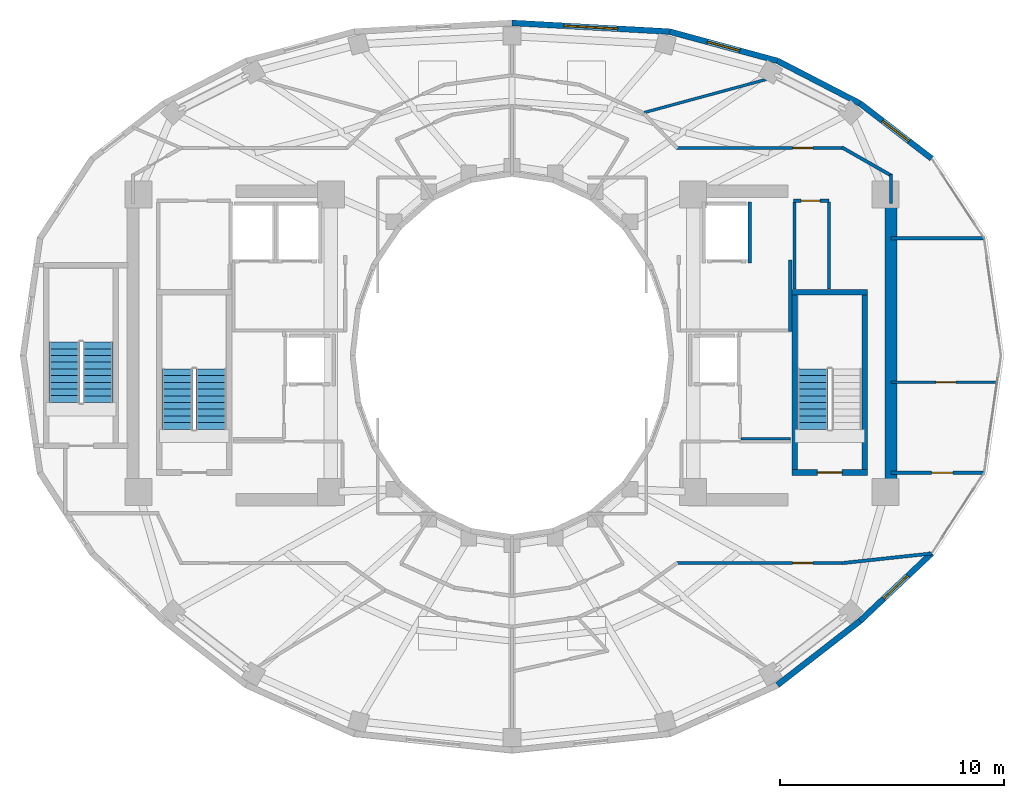
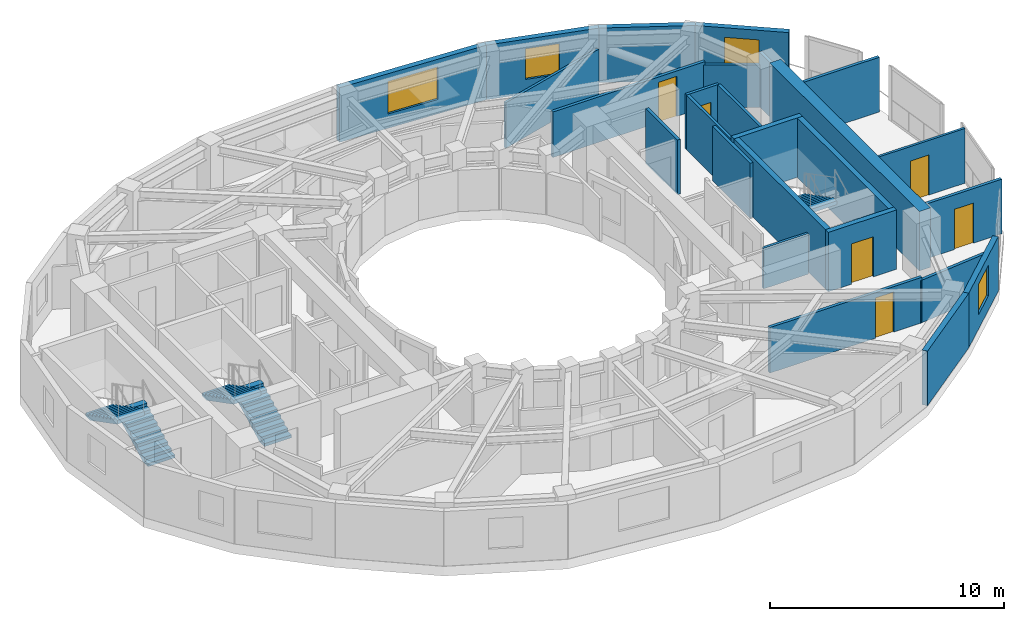
# One storey, part 9 of 12: 26 walls, 6 doors, 5 stair flights, 4 windows, 10 openings, 3 elements without a shape of their own.
"""IFC4 building model written with IfcOpenShell, lengths in metres."""

from ifc_helpers import new_model, si_unit, direction, frame, frame_2d, origin, place, context, subcontext, project, spatial, polyline, rectangle, outline, extrude, material, layer, layer_set, type_object, element, fill, aggregate, save


model = new_model("IFC4")

# Units and contexts
model_context = context("Model", 3, precision=1e-05, world=origin(), true_north=direction((0.0, 1.0)))
body_context = subcontext(model_context, "Body", "Model", "MODEL_VIEW")
ifc_project = project(units=[si_unit("LENGTHUNIT", "METRE"), si_unit("AREAUNIT", "SQUARE_METRE"), si_unit("VOLUMEUNIT", "CUBIC_METRE"), si_unit("PLANEANGLEUNIT", "RADIAN"), si_unit("MASSUNIT", "GRAM", prefix="KILO")], contexts=[model_context])

# Site, building, storey
site_placement = place(None, origin())
site = spatial("IfcSite", under=ifc_project, at=site_placement, CompositionType="ELEMENT")
building_placement = place(site_placement, origin())
building = spatial("IfcBuilding", under=site, at=building_placement, Name="Solvane Sanctuary Tower", CompositionType="ELEMENT")
storey_placement = place(building_placement, frame((0.0, 0.0, 210.89990234375)))
storey = spatial("IfcBuildingStorey", under=building, at=storey_placement, Name="L64", CompositionType="ELEMENT", Elevation=210.89990234375)

# Walls
ifc_material_1 = material(Name="Concrete C50/60", Category="concrete")
ifc_layer_1 = layer(ifc_material_1, 0.550048828125, Name="Concrete C50/60")
ifc_layer_set_1 = layer_set([ifc_layer_1], Name="Concrete C50/60")
wall_type_1 = type_object("IfcWallType", Name="Wall W-CORE-550", PredefinedType="SHEAR", material=ifc_layer_set_1)
wall_1_placement = place(storey_placement, frame((48.949951171875, 17.050048828125, 0.0), z_axis=(0.0, 0.0, 1.0), x_axis=(0.0, 1.0, 0.0)))
element("IfcWall", 1, at=wall_1_placement, inside=storey, type_object=wall_type_1, Name="L64 Core Shear Wall EC-E", PredefinedType="SHEAR", context=body_context, shape_type="SweptSolid", body=[
    extrude(rectangle(XDim=12.800048828125, YDim=0.550048828125, at=frame_2d((6.39990234375, 0.0))), origin(), (0.0, 0.0, 1.0), 3.10009765625),
])
ifc_material_2 = material(Name="Acoustic Gypsum Partition Board")
ifc_layer_2 = layer(ifc_material_2, 0.14990234375, Name="Acoustic Gypsum Partition Board")
ifc_layer_set_2 = layer_set([ifc_layer_2], Name="Acoustic Gypsum Partition Board")
wall_type_2 = type_object("IfcWallType", Name="Wall W-CORR-150", PredefinedType="PARTITIONING", material=ifc_layer_set_2)
wall_2_placement = place(storey_placement, frame((44.449951171875, 24.080078125, 0.0), z_axis=(0.0, 0.0, 1.0), x_axis=(0.0, 1.0, 0.0)))
element("IfcWall", 2, at=wall_2_placement, inside=storey, type_object=wall_type_2, Name="L64 East Firefighting Lobby East Wall", PredefinedType="PARTITIONING", context=body_context, shape_type="SweptSolid", body=[
    extrude(rectangle(XDim=3.199951171875, YDim=0.14990234375, at=frame_2d((1.60009765625, 0.0))), origin(), (0.0, 0.0, 1.0), 2.85498046875),
])

# Wall, opening, door
wall_3_placement = place(storey_placement, frame((48.949951171875, 17.754638671875, 0.0), z_axis=(0.0, 0.0, 1.0), x_axis=(1.0, 0.0, 0.0)))
wall_3 = element("IfcWall", 3, at=wall_3_placement, inside=storey, type_object=wall_type_2, Name="L64 East Shoulder South Wall", PredefinedType="PARTITIONING", context=body_context, shape_type="SweptSolid", body=[
    extrude(rectangle(XDim=4.174560546875, YDim=0.14990234375, at=frame_2d((2.08740234375, 0.0))), origin(), (0.0, 0.0, 1.0), 2.85498046875),
])
opening_1_placement = place(wall_3_placement, frame((1.817138671875, 0.0, 0.0)))
opening_1 = element("IfcOpeningElement", 4, at=opening_1_placement, cuts=wall_3, Name="Opening D-L64-16", PredefinedType="OPENING", context=body_context, shape_type="SweptSolid", body=[
    extrude(rectangle(XDim=0.949951171875, YDim=2.10009765625, at=frame_2d((0.47509765625, 1.050048828125))), frame((0.0, 0.0849609375, 0.0), z_axis=(0.0, -1.0, 0.0), x_axis=(1.0, 0.0, 0.0)), (0.0, 0.0, 1.0), 0.169921875),
])
ifc_material_3 = material(Name="Engineered Tropical Hardwood", Category="wood")
door_type_1 = type_object("IfcDoorType", Name="Door D-ROOM-950", OperationType="NOTDEFINED", PredefinedType="DOOR", material=ifc_material_3)
door_1_placement = place(opening_1_placement, origin())
door_1 = element("IfcDoor", 5, at=door_1_placement, inside=storey, type_object=door_type_1, Name="L64 East Shoulder South Door", OperationType="SINGLE_SWING_RIGHT", OverallHeight=2.10009765625, OverallWidth=0.949951171875, PredefinedType="DOOR", context=body_context, shape_type="SweptSolid", body=[
    extrude(rectangle(XDim=0.949951171875, YDim=2.10009765625, at=frame_2d((0.47509765625, 1.050048828125))), frame((0.0, 0.02490234375, 0.0), z_axis=(0.0, -1.0, 0.0), x_axis=(1.0, 0.0, 0.0)), (0.0, 0.0, 1.0), 0.050048828125),
])
fill(opening_1, door_1)

# Walls
wall_4_placement = place(storey_placement, frame((48.949951171875, 28.245361328125, 0.0), z_axis=(0.0, 0.0, 1.0), x_axis=(1.0, 0.0, 0.0)))
element("IfcWall", 6, at=wall_4_placement, inside=storey, type_object=wall_type_2, Name="L64 East Shoulder North Wall", PredefinedType="PARTITIONING", context=body_context, shape_type="SweptSolid", body=[
    extrude(rectangle(XDim=4.174560546875, YDim=0.14990234375, at=frame_2d((2.08740234375, 0.0))), origin(), (0.0, 0.0, 1.0), 2.85498046875),
])
wall_5_placement = place(storey_placement, frame((48.949951171875, 29.800048828125, 0.0), z_axis=(0.0, 0.0, 1.0), x_axis=(0.0, 1.0, 0.0)))
element("IfcWall", 7, at=wall_5_placement, inside=storey, type_object=wall_type_2, Name="L64 NE Corner Closer 1", PredefinedType="PARTITIONING", context=body_context, shape_type="SweptSolid", body=[
    extrude(rectangle(XDim=1.2900390625, YDim=0.14990234375, at=frame_2d((0.64501953125, 0.0))), origin(), (0.0, 0.0, 1.0), 2.85498046875),
])

# Wall, opening, door
wall_6_placement = place(storey_placement, frame((39.330078125, 32.280029296875, 0.0), z_axis=(0.0, 0.0, 1.0), x_axis=(1.0, 0.0, 0.0)))
wall_6 = element("IfcWall", 8, at=wall_6_placement, inside=storey, type_object=wall_type_2, Name="L64 NE Corner Corridor Wall", PredefinedType="PARTITIONING", context=body_context, shape_type="SweptSolid", body=[
    extrude(rectangle(XDim=7.52001953125, YDim=0.14990234375, at=frame_2d((3.760009765625, 0.0))), origin(), (0.0, 0.0, 1.0), 2.3759765625),
])
opening_2_placement = place(wall_6_placement, frame((5.219970703125, 0.0, 0.0)))
opening_2 = element("IfcOpeningElement", 9, at=opening_2_placement, cuts=wall_6, Name="Opening D-L64-18", PredefinedType="OPENING", context=body_context, shape_type="SweptSolid", body=[
    extrude(rectangle(XDim=0.89990234375, YDim=2.10009765625, at=frame_2d((0.449951171875, 1.050048828125))), frame((0.0, 0.0849609375, 0.0), z_axis=(0.0, -1.0, 0.0), x_axis=(1.0, 0.0, 0.0)), (0.0, 0.0, 1.0), 0.169921875),
])
door_type_2 = type_object("IfcDoorType", Name="Door D-WET-900", OperationType="NOTDEFINED", PredefinedType="DOOR", material=ifc_material_3)
door_2_placement = place(opening_2_placement, origin())
door_2 = element("IfcDoor", 10, at=door_2_placement, inside=storey, type_object=door_type_2, Name="L64 NE Corner Salon Door", OperationType="SINGLE_SWING_RIGHT", OverallHeight=2.10009765625, OverallWidth=0.89990234375, PredefinedType="DOOR", context=body_context, shape_type="SweptSolid", body=[
    extrude(rectangle(XDim=0.89990234375, YDim=2.10009765625, at=frame_2d((0.449951171875, 1.050048828125))), frame((0.0, 0.02490234375, 0.0), z_axis=(0.0, -1.0, 0.0), x_axis=(1.0, 0.0, 0.0)), (0.0, 0.0, 1.0), 0.050048828125),
])
fill(opening_2, door_2)

# Wall
wall_7_placement = place(storey_placement, frame((46.756591796875, 32.3046875, 0.0), z_axis=(0.0, 0.0, 1.0), x_axis=(0.867991349648, -0.496579315857, 0.0)))
element("IfcWall", 11, at=wall_7_placement, inside=storey, type_object=wall_type_2, Name="L64 NE Corner Wing Wall", PredefinedType="PARTITIONING", context=body_context, shape_type="SweptSolid", body=[
    extrude(rectangle(XDim=2.56689453125, YDim=0.14990234375, at=frame_2d((1.283447265625, 0.0))), origin(), (0.0, 0.0, 1.0), 2.22021484375),
])

# Wall, opening, door
wall_8_placement = place(storey_placement, frame((39.330078125, 13.719970703125, 0.0), z_axis=(0.0, 0.0, 1.0), x_axis=(1.0, 0.0, 0.0)))
wall_8 = element("IfcWall", 12, at=wall_8_placement, inside=storey, type_object=wall_type_2, Name="L64 SE Corner Corridor Wall", PredefinedType="PARTITIONING", context=body_context, shape_type="SweptSolid", body=[
    extrude(rectangle(XDim=7.52001953125, YDim=0.14990234375, at=frame_2d((3.760009765625, 0.0))), origin(), (0.0, 0.0, 1.0), 2.3759765625),
])
opening_3_placement = place(wall_8_placement, frame((5.219970703125, 0.0, 0.0)))
opening_3 = element("IfcOpeningElement", 13, at=opening_3_placement, cuts=wall_8, Name="Opening D-L64-22", PredefinedType="OPENING", context=body_context, shape_type="SweptSolid", body=[
    extrude(rectangle(XDim=0.89990234375, YDim=2.10009765625, at=frame_2d((0.449951171875, 1.050048828125))), frame((0.0, 0.0849609375, 0.0), z_axis=(0.0, -1.0, 0.0), x_axis=(1.0, 0.0, 0.0)), (0.0, 0.0, 1.0), 0.169921875),
])
door_3_placement = place(opening_3_placement, origin())
door_3 = element("IfcDoor", 14, at=door_3_placement, inside=storey, type_object=door_type_2, Name="L64 SE Corner Salon Door", OperationType="SINGLE_SWING_RIGHT", OverallHeight=2.10009765625, OverallWidth=0.89990234375, PredefinedType="DOOR", context=body_context, shape_type="SweptSolid", body=[
    extrude(rectangle(XDim=0.89990234375, YDim=2.10009765625, at=frame_2d((0.449951171875, 1.050048828125))), frame((0.0, 0.02490234375, 0.0), z_axis=(0.0, -1.0, 0.0), x_axis=(1.0, 0.0, 0.0)), (0.0, 0.0, 1.0), 0.050048828125),
])
fill(opening_3, door_3)

# Wall
wall_9_placement = place(storey_placement, frame((46.750244140625, 13.714599609375, 0.0), z_axis=(0.0, 0.0, 1.0), x_axis=(0.994275802046, 0.106843949134, 0.0)))
element("IfcWall", 15, at=wall_9_placement, inside=storey, type_object=wall_type_2, Name="L64 SE Corner Wing Wall", PredefinedType="PARTITIONING", context=body_context, shape_type="SweptSolid", body=[
    extrude(rectangle(XDim=4.049072265625, YDim=0.14990234375, at=frame_2d((2.0244140625, 0.0))), origin(), (0.0, 0.0, 1.0), 2.22021484375),
])

# Wall, opening, window
ifc_material_4 = material(Name="Precast concrete C40/50", Category="concrete")
ifc_layer_3 = layer(ifc_material_4, 0.260009765625, Name="Precast concrete C40/50")
ifc_layer_set_3 = layer_set([ifc_layer_3], Name="Precast concrete C40/50")
wall_type_3 = type_object("IfcWallType", Name="Wall W-EXT-250", PredefinedType="STANDARD", material=ifc_layer_set_3)
wall_10_placement = place(storey_placement, frame((50.760986328125, 31.80908203125, 0.0), z_axis=(0.0, 0.0, 1.0), x_axis=(-0.792713817907, 0.609593965603, 0.0)))
wall_10 = element("IfcWall", 16, at=wall_10_placement, inside=storey, type_object=wall_type_3, Name="L64 Ceramic-Printed Facade Wall 02", PredefinedType="STANDARD", context=body_context, shape_type="SweptSolid", body=[
    extrude(rectangle(XDim=4.041015625, YDim=0.260009765625, at=frame_2d((2.0205078125, 0.0))), origin(), (0.0, 0.0, 1.0), 2.85009765625),
])
opening_4_placement = place(wall_10_placement, frame((1.2705078125, 0.0, 0.75)))
opening_4 = element("IfcOpeningElement", 17, at=opening_4_placement, cuts=wall_10, Name="Opening WN-OPER-1500", PredefinedType="OPENING", context=body_context, shape_type="SweptSolid", body=[
    extrude(rectangle(XDim=1.5, YDim=1.60009765625, at=frame_2d((0.75, 0.800048828125))), frame((0.0, 0.139892578125, 0.0), z_axis=(0.0, -1.0, 0.0), x_axis=(1.0, 0.0, 0.0)), (0.0, 0.0, 1.0), 0.280029296875),
])
ifc_material_5 = material(Name="Dark Ceramic-Fritted Low-E Glass", Category="glass")
window_type_1 = type_object("IfcWindowType", Name="Window WN-OPER-1500", PartitioningType="SINGLE_PANEL", PredefinedType="WINDOW", material=ifc_material_5)
window_1_placement = place(opening_4_placement, origin())
window_1 = element("IfcWindow", 18, at=window_1_placement, inside=storey, type_object=window_type_1, Name="L64 Operable Facade Window 02", OverallHeight=1.60009765625, OverallWidth=1.5, PartitioningType="SINGLE_PANEL", PredefinedType="WINDOW", context=body_context, shape_type="SweptSolid", body=[
    extrude(rectangle(XDim=1.5, YDim=1.60009765625, at=frame_2d((0.75, 0.800048828125))), frame((0.0, 0.030029296875, 0.0), z_axis=(0.0, -1.0, 0.0), x_axis=(1.0, 0.0, 0.0)), (0.0, 0.0, 1.0), 0.06005859375),
])
fill(opening_4, window_1)

# Wall
wall_11_placement = place(storey_placement, frame((47.5576171875, 34.2724609375, 0.0), z_axis=(0.0, 0.0, 1.0), x_axis=(-0.88849146803, 0.458893137057, 0.0)))
element("IfcWall", 19, at=wall_11_placement, inside=storey, type_object=wall_type_3, Name="L64 Ceramic-Printed Facade Wall 03", PredefinedType="STANDARD", context=body_context, shape_type="SweptSolid", body=[
    extrude(rectangle(XDim=4.150390625, YDim=0.260009765625, at=frame_2d((2.0751953125, 0.0))), origin(), (0.0, 0.0, 1.0), 2.85009765625),
])

# Wall, opening, window
wall_12_placement = place(storey_placement, frame((43.8701171875, 36.177001953125, 0.0), z_axis=(0.0, 0.0, 1.0), x_axis=(-0.965213026382, 0.261464746576, 0.0)))
wall_12 = element("IfcWall", 20, at=wall_12_placement, inside=storey, type_object=wall_type_3, Name="L64 Ceramic-Printed Facade Wall 04", PredefinedType="STANDARD", context=body_context, shape_type="SweptSolid", body=[
    extrude(rectangle(XDim=5.001220703125, YDim=0.260009765625, at=frame_2d((2.50048828125, 0.0))), origin(), (0.0, 0.0, 1.0), 2.85009765625),
])
opening_5_placement = place(wall_12_placement, frame((1.75048828125, 0.0, 0.75)))
opening_5 = element("IfcOpeningElement", 21, at=opening_5_placement, cuts=wall_12, Name="Opening WN-OPER-1500", PredefinedType="OPENING", context=body_context, shape_type="SweptSolid", body=[
    extrude(rectangle(XDim=1.5, YDim=1.60009765625, at=frame_2d((0.75, 0.800048828125))), frame((0.0, 0.139892578125, 0.0), z_axis=(0.0, -1.0, 0.0), x_axis=(1.0, 0.0, 0.0)), (0.0, 0.0, 1.0), 0.280029296875),
])
window_2_placement = place(opening_5_placement, origin())
window_2 = element("IfcWindow", 22, at=window_2_placement, inside=storey, type_object=window_type_1, Name="L64 Operable Facade Window 04", OverallHeight=1.60009765625, OverallWidth=1.5, PartitioningType="SINGLE_PANEL", PredefinedType="WINDOW", context=body_context, shape_type="SweptSolid", body=[
    extrude(rectangle(XDim=1.5, YDim=1.60009765625, at=frame_2d((0.75, 0.800048828125))), frame((0.0, 0.030029296875, 0.0), z_axis=(0.0, -1.0, 0.0), x_axis=(1.0, 0.0, 0.0)), (0.0, 0.0, 1.0), 0.06005859375),
])
fill(opening_5, window_2)

wall_13_placement = place(storey_placement, frame((39.04296875, 37.484619140625, 0.0), z_axis=(0.0, 0.0, 1.0), x_axis=(-0.998490239527, 0.054929423535, 0.0)))
wall_13 = element("IfcWall", 23, at=wall_13_placement, inside=storey, type_object=wall_type_3, Name="L64 Ceramic-Printed Facade Wall 05", PredefinedType="STANDARD", context=body_context, shape_type="SweptSolid", body=[
    extrude(rectangle(XDim=7.0537109375, YDim=0.260009765625, at=frame_2d((3.52685546875, 0.0))), origin(), (0.0, 0.0, 1.0), 2.85009765625),
])
opening_6_placement = place(wall_13_placement, frame((2.326904296875, 0.0, 0.75)))
opening_6 = element("IfcOpeningElement", 24, at=opening_6_placement, cuts=wall_13, Name="Opening WN-RIB-2400", PredefinedType="OPENING", context=body_context, shape_type="SweptSolid", body=[
    extrude(rectangle(XDim=2.39990234375, YDim=1.699951171875, at=frame_2d((1.199951171875, 0.85009765625))), frame((0.0, 0.139892578125, 0.0), z_axis=(0.0, -1.0, 0.0), x_axis=(1.0, 0.0, 0.0)), (0.0, 0.0, 1.0), 0.280029296875),
])
window_type_2 = type_object("IfcWindowType", Name="Window WN-RIB-2400", PartitioningType="SINGLE_PANEL", PredefinedType="WINDOW", material=ifc_material_5)
window_3_placement = place(opening_6_placement, origin())
window_3 = element("IfcWindow", 25, at=window_3_placement, inside=storey, type_object=window_type_2, Name="L64 Operable Facade Window 05", OverallHeight=1.699951171875, OverallWidth=2.39990234375, PartitioningType="SINGLE_PANEL", PredefinedType="WINDOW", context=body_context, shape_type="SweptSolid", body=[
    extrude(rectangle(XDim=2.39990234375, YDim=1.699951171875, at=frame_2d((1.199951171875, 0.85009765625))), frame((0.0, 0.030029296875, 0.0), z_axis=(0.0, -1.0, 0.0), x_axis=(1.0, 0.0, 0.0)), (0.0, 0.0, 1.0), 0.06005859375),
])
fill(opening_6, window_3)

# Wall
wall_14_placement = place(storey_placement, frame((43.8701171875, 8.267333984375, 0.0), z_axis=(0.0, 0.0, 1.0), x_axis=(0.790126214723, 0.612944177563, 0.0)))
element("IfcWall", 26, at=wall_14_placement, inside=storey, type_object=wall_type_3, Name="L64 Ceramic-Printed Facade Wall 20", PredefinedType="STANDARD", context=body_context, shape_type="SweptSolid", body=[
    extrude(rectangle(XDim=4.6669921875, YDim=0.260009765625, at=frame_2d((2.33349609375, 0.0))), origin(), (0.0, 0.0, 1.0), 2.85009765625),
])

# Wall, opening, window
wall_15_placement = place(storey_placement, frame((47.5576171875, 11.1279296875, 0.0), z_axis=(0.0, 0.0, 1.0), x_axis=(0.72731899451, 0.686299555752, 0.0)))
wall_15 = element("IfcWall", 27, at=wall_15_placement, inside=storey, type_object=wall_type_3, Name="L64 Ceramic-Printed Facade Wall 21", PredefinedType="STANDARD", context=body_context, shape_type="SweptSolid", body=[
    extrude(rectangle(XDim=4.404296875, YDim=0.260009765625, at=frame_2d((2.2021484375, 0.0))), origin(), (0.0, 0.0, 1.0), 2.85009765625),
])
opening_7_placement = place(wall_15_placement, frame((1.4521484375, 0.0, 0.75)))
opening_7 = element("IfcOpeningElement", 28, at=opening_7_placement, cuts=wall_15, Name="Opening WN-OPER-1500", PredefinedType="OPENING", context=body_context, shape_type="SweptSolid", body=[
    extrude(rectangle(XDim=1.5, YDim=1.60009765625, at=frame_2d((0.75, 0.800048828125))), frame((0.0, 0.139892578125, 0.0), z_axis=(0.0, -1.0, 0.0), x_axis=(1.0, 0.0, 0.0)), (0.0, 0.0, 1.0), 0.280029296875),
])
window_4_placement = place(opening_7_placement, origin())
window_4 = element("IfcWindow", 29, at=window_4_placement, inside=storey, type_object=window_type_1, Name="L64 Operable Facade Window 21", OverallHeight=1.60009765625, OverallWidth=1.5, PartitioningType="SINGLE_PANEL", PredefinedType="WINDOW", context=body_context, shape_type="SweptSolid", body=[
    extrude(rectangle(XDim=1.5, YDim=1.60009765625, at=frame_2d((0.75, 0.800048828125))), frame((0.0, 0.030029296875, 0.0), z_axis=(0.0, -1.0, 0.0), x_axis=(1.0, 0.0, 0.0)), (0.0, 0.0, 1.0), 0.06005859375),
])
fill(opening_7, window_4)

# Wall, opening, door
ifc_layer_4 = layer(ifc_material_2, 0.1201171875, Name="Acoustic Gypsum Partition Board")
ifc_layer_set_4 = layer_set([ifc_layer_4], Name="Acoustic Gypsum Partition Board")
wall_type_4 = type_object("IfcWallType", Name="Wall W-MOV-100", PredefinedType="MOVABLE", material=ifc_layer_set_4)
wall_16_placement = place(storey_placement, frame((48.949951171875, 21.800048828125, 0.0), z_axis=(0.0, 0.0, 1.0), x_axis=(1.0, 0.0, 0.0)))
wall_16 = element("IfcWall", 30, at=wall_16_placement, inside=storey, type_object=wall_type_4, Name="L64 East Suite Partition", PredefinedType="MOVABLE", context=body_context, shape_type="SweptSolid", body=[
    extrude(rectangle(XDim=4.697265625, YDim=0.1201171875, at=frame_2d((2.3486328125, 0.0))), origin(), (0.0, 0.0, 1.0), 2.85498046875),
])
opening_8_placement = place(wall_16_placement, frame((2.0, 0.0, 0.0)))
opening_8 = element("IfcOpeningElement", 31, at=opening_8_placement, cuts=wall_16, Name="Opening D-L64-17", PredefinedType="OPENING", context=body_context, shape_type="SweptSolid", body=[
    extrude(rectangle(XDim=0.89990234375, YDim=2.10009765625, at=frame_2d((0.449951171875, 1.050048828125))), frame((0.0, 0.070068359375, 0.0), z_axis=(0.0, -1.0, 0.0), x_axis=(1.0, 0.0, 0.0)), (0.0, 0.0, 1.0), 0.14013671875),
])
door_4_placement = place(opening_8_placement, origin())
door_4 = element("IfcDoor", 32, at=door_4_placement, inside=storey, type_object=door_type_2, Name="L64 East Suite Internal Door", OperationType="SINGLE_SWING_LEFT", OverallHeight=2.10009765625, OverallWidth=0.89990234375, PredefinedType="DOOR", context=body_context, shape_type="SweptSolid", body=[
    extrude(rectangle(XDim=0.89990234375, YDim=2.10009765625, at=frame_2d((0.449951171875, 1.050048828125))), frame((0.0, 0.02490234375, 0.0), z_axis=(0.0, -1.0, 0.0), x_axis=(1.0, 0.0, 0.0)), (0.0, 0.0, 1.0), 0.050048828125),
])
fill(opening_8, door_4)

# Walls
ifc_layer_5 = layer(ifc_material_2, 0.125, Name="Acoustic Gypsum Partition Board")
ifc_layer_set_5 = layer_set([ifc_layer_5], Name="Acoustic Gypsum Partition Board")
wall_type_5 = type_object("IfcWallType", Name="Wall W-PART-125", PredefinedType="PARTITIONING", material=ifc_layer_set_5)
wall_17_placement = place(storey_placement, frame((42.239990234375, 19.280029296875, 0.0), z_axis=(0.0, 0.0, 1.0), x_axis=(1.0, 0.0, 0.0)))
element("IfcWall", 33, at=wall_17_placement, inside=storey, type_object=wall_type_5, Name="L64 Reclaimed Room Closer Wall PME-1", PredefinedType="PARTITIONING", context=body_context, shape_type="SweptSolid", body=[
    extrude(rectangle(XDim=2.2099609375, YDim=0.125, at=frame_2d((1.10498046875, 0.0))), origin(), (0.0, 0.0, 1.0), 2.1201171875),
])
wall_18_placement = place(storey_placement, frame((37.918212890625, 33.86572265625, 0.0), z_axis=(0.0, 0.0, 1.0), x_axis=(0.965109390289, 0.261847025523, 0.0)))
element("IfcWall", 34, at=wall_18_placement, inside=storey, type_object=wall_type_5, Name="L64 Radial Compartment Wall 060", PredefinedType="PARTITIONING", context=body_context, shape_type="SweptSolid", body=[
    extrude(rectangle(XDim=5.643798828125, YDim=0.125, at=frame_2d((2.82177734375, 0.0))), origin(), (0.0, 0.0, 1.0), 2.3759765625),
])
ifc_layer_6 = layer(ifc_material_1, 0.14990234375, Name="Concrete C50/60")
ifc_layer_set_6 = layer_set([ifc_layer_6], Name="Concrete C50/60")
wall_type_6 = type_object("IfcWallType", Name="Wall W-SHAFT-150", PredefinedType="SOLIDWALL", material=ifc_layer_set_6)
wall_19_placement = place(storey_placement, frame((42.6298828125, 27.139892578125, 0.0), z_axis=(0.0, 0.0, 1.0), x_axis=(0.0, 1.0, 0.0)))
element("IfcWall", 35, at=wall_19_placement, inside=storey, type_object=wall_type_6, Name="L64 FFL-2 Lift Shaft Wall S2", PredefinedType="SOLIDWALL", context=body_context, shape_type="SweptSolid", body=[
    extrude(rectangle(XDim=2.72021484375, YDim=0.14990234375, at=frame_2d((1.360107421875, 0.0))), origin(), (0.0, 0.0, 1.0), 2.85498046875),
])

# Wall, opening, door
ifc_layer_7 = layer(ifc_material_1, 0.25, Name="Concrete C50/60")
ifc_layer_set_7 = layer_set([ifc_layer_7], Name="Concrete C50/60")
wall_type_7 = type_object("IfcWallType", Name="Wall W-SHAFT-250", PredefinedType="SOLIDWALL", material=ifc_layer_set_7)
wall_20_placement = place(storey_placement, frame((44.52490234375, 17.77001953125, 0.0), z_axis=(0.0, 0.0, 1.0), x_axis=(1.0, 0.0, 0.0)))
wall_20 = element("IfcWall", 36, at=wall_20_placement, inside=storey, type_object=wall_type_7, Name="L64 ST-2 Load-Bearing Shaft Wall S", PredefinedType="SOLIDWALL", context=body_context, shape_type="SweptSolid", body=[
    extrude(rectangle(XDim=3.3701171875, YDim=0.25, at=frame_2d((1.68505859375, 0.0))), origin(), (0.0, 0.0, 1.0), 3.10009765625),
])
opening_9_placement = place(wall_20_placement, frame((1.135009765625, 0.0, 0.0)))
opening_9 = element("IfcOpeningElement", 37, at=opening_9_placement, cuts=wall_20, Name="Opening D-L64-02", PredefinedType="OPENING", context=body_context, shape_type="SweptSolid", body=[
    extrude(rectangle(XDim=1.10009765625, YDim=2.10009765625, at=frame_2d((0.550048828125, 1.050048828125))), frame((0.0, 0.135009765625, 0.0), z_axis=(0.0, -1.0, 0.0), x_axis=(1.0, 0.0, 0.0)), (0.0, 0.0, 1.0), 0.27001953125),
])
ifc_material_6 = material(Name="Architectural Stainless Steel 316", Category="steel")
door_type_3 = type_object("IfcDoorType", Name="Door D-STAIR", OperationType="NOTDEFINED", PredefinedType="DOOR", material=ifc_material_6)
door_5_placement = place(opening_9_placement, origin())
door_5 = element("IfcDoor", 38, at=door_5_placement, inside=storey, type_object=door_type_3, Name="L64 ST-2 Exit Stair Fire Door", OperationType="SINGLE_SWING_LEFT", OverallHeight=2.10009765625, OverallWidth=1.10009765625, PredefinedType="DOOR", context=body_context, shape_type="SweptSolid", body=[
    extrude(rectangle(XDim=1.10009765625, YDim=2.10009765625, at=frame_2d((0.550048828125, 1.050048828125))), frame((0.0, 0.02490234375, 0.0), z_axis=(0.0, -1.0, 0.0), x_axis=(1.0, 0.0, 0.0)), (0.0, 0.0, 1.0), 0.050048828125),
])
fill(opening_9, door_5)

# Walls
wall_21_placement = place(storey_placement, frame((44.52490234375, 25.830078125, 0.0), z_axis=(0.0, 0.0, 1.0), x_axis=(1.0, 0.0, 0.0)))
element("IfcWall", 39, at=wall_21_placement, inside=storey, type_object=wall_type_7, Name="L64 ST-2 Load-Bearing Shaft Wall N", PredefinedType="SOLIDWALL", context=body_context, shape_type="SweptSolid", body=[
    extrude(rectangle(XDim=3.3701171875, YDim=0.25, at=frame_2d((1.68505859375, 0.0))), origin(), (0.0, 0.0, 1.0), 3.10009765625),
])
for number, where, z_axis, x_axis, name in (
    (40, (44.64990234375, 17.89501953125, 0.0), (0.0, 0.0, 1.0), (0.0, 1.0, 0.0), "L64 ST-2 Load-Bearing Shaft Wall W"),
    (41, (47.77001953125, 17.89501953125, 0.0), (0.0, 0.0, 1.0), (0.0, 1.0, 0.0), "L64 ST-2 Load-Bearing Shaft Wall E"),
):
    element("IfcWall", number, at=place(storey_placement, frame(where, z_axis=z_axis, x_axis=x_axis)), inside=storey, type_object=wall_type_7, Name=name, PredefinedType="SOLIDWALL", context=body_context, shape_type="SweptSolid", body=[
        extrude(rectangle(XDim=7.81005859375, YDim=0.25, at=frame_2d((3.905029296875, 0.0))), origin(), (0.0, 0.0, 1.0), 3.10009765625),
    ])

# Wall, opening, door
ifc_layer_8 = layer(ifc_material_2, 0.139892578125, Name="Acoustic Gypsum Partition Board")
ifc_layer_set_8 = layer_set([ifc_layer_8], Name="Acoustic Gypsum Partition Board")
wall_type_8 = type_object("IfcWallType", Name="Wall W-WET-140", PredefinedType="PLUMBINGWALL", material=ifc_layer_set_8)
wall_22_placement = place(storey_placement, frame((44.580078125, 29.919921875, 0.0), z_axis=(0.0, 0.0, 1.0), x_axis=(1.0, 0.0, 0.0)))
wall_22 = element("IfcWall", 42, at=wall_22_placement, inside=storey, type_object=wall_type_8, Name="L64 Core Service Front Wall KE0S", PredefinedType="PLUMBINGWALL", context=body_context, shape_type="SweptSolid", body=[
    extrude(rectangle(XDim=1.599853515625, YDim=0.139892578125, at=frame_2d((0.7998046875, 0.0))), origin(), (0.0, 0.0, 1.0), 2.85498046875),
])
opening_10_placement = place(wall_22_placement, frame((0.35009765625, 0.0, 0.0)))
opening_10 = element("IfcOpeningElement", 43, at=opening_10_placement, cuts=wall_22, Name="Opening D-L64-11", PredefinedType="OPENING", context=body_context, shape_type="SweptSolid", body=[
    extrude(rectangle(XDim=0.85009765625, YDim=2.050048828125, at=frame_2d((0.425048828125, 1.02490234375))), frame((0.0, 0.079833984375, 0.0), z_axis=(0.0, -1.0, 0.0), x_axis=(1.0, 0.0, 0.0)), (0.0, 0.0, 1.0), 0.159912109375),
])
door_type_4 = type_object("IfcDoorType", Name="Door D-RISER", OperationType="NOTDEFINED", PredefinedType="DOOR", material=ifc_material_6)
door_6_placement = place(opening_10_placement, origin())
door_6 = element("IfcDoor", 44, at=door_6_placement, inside=storey, type_object=door_type_4, Name="L64 Core Service Room Door KE0S-1", OperationType="SINGLE_SWING_LEFT", OverallHeight=2.050048828125, OverallWidth=0.85009765625, PredefinedType="DOOR", context=body_context, shape_type="SweptSolid", body=[
    extrude(rectangle(XDim=0.85009765625, YDim=2.050048828125, at=frame_2d((0.425048828125, 1.02490234375))), frame((0.0, 0.02490234375, 0.0), z_axis=(0.0, -1.0, 0.0), x_axis=(1.0, 0.0, 0.0)), (0.0, 0.0, 1.0), 0.050048828125),
])
fill(opening_10, door_6)

# Walls
for number, where, z_axis, x_axis, name in (
    (45, (44.639892578125, 25.97998046875, 0.0), (0.0, 0.0, 1.0), (0.0, 1.0, 0.0), "L64 Core Service Side Wall KE0S-1"),
    (46, (46.179931640625, 25.97998046875, 0.0), (0.0, 0.0, 1.0), (0.0, 1.0, 0.0), "L64 Core Service Side Wall KE0S-2"),
):
    element("IfcWall", number, at=place(storey_placement, frame(where, z_axis=z_axis, x_axis=x_axis)), inside=storey, type_object=wall_type_8, Name=name, PredefinedType="PLUMBINGWALL", context=body_context, shape_type="SweptSolid", body=[
        extrude(rectangle(XDim=3.880126953125, YDim=0.139892578125, at=frame_2d((1.93994140625, 0.0))), origin(), (0.0, 0.0, 1.0), 2.85498046875),
    ])

# Stair, stair flights
ifc_material_7 = material(Name="Concrete C45/55", Category="concrete")
stair_type = type_object("IfcStairType", Name="Stair ST-TOW", PredefinedType="HALF_TURN_STAIR", material=ifc_material_7)
stair_1_placement = place(storey_placement, origin())
stair_1 = element("IfcStair", 47, at=stair_1_placement, inside=storey, type_object=stair_type, Name="L64 Exit Stair ST-1 West Core", PredefinedType="HALF_TURN_STAIR")
stair_flight_type = type_object("IfcStairFlightType", Name="StairFlight SF-TOW", PredefinedType="STRAIGHT", material=ifc_material_7)
stair_flight_1_placement = place(storey_placement, frame((18.544921875, 19.699951171875, 0.0), z_axis=(0.0, 0.0, 1.0), x_axis=(0.0, 1.0, 0.0)))
stair_flight_1 = element("IfcStairFlight", 48, at=stair_flight_1_placement, type_object=stair_flight_type, Name="ST-1 flight 1", NumberOfRisers=10, NumberOfTreads=9, PredefinedType="STRAIGHT", RiserHeight=0.155, TreadLength=0.3, context=body_context, shape_type="SweptSolid", body=[
    extrude(outline(polyline([(0.0, 0.0), (0.0, 0.155029296875), (0.300048828125, 0.155029296875), (0.300048828125, 0.31005859375), (0.60009765625, 0.31005859375), (0.60009765625, 0.465087890625), (0.89990234375, 0.465087890625), (0.89990234375, 0.6201171875), (1.199951171875, 0.6201171875), (1.199951171875, 0.77490234375), (1.5, 0.77490234375), (1.5, 0.929931640625), (1.800048828125, 0.929931640625), (1.800048828125, 1.0849609375), (2.10009765625, 1.0849609375), (2.10009765625, 1.239990234375), (2.39990234375, 1.239990234375), (2.39990234375, 1.39501953125), (2.699951171875, 1.39501953125), (2.699951171875, 1.550048828125), (2.699951171875, 1.1923828125), (0.39208984375, 0.0), (0.0, 0.0)])), frame((0.0, 0.675048828125, 0.0), z_axis=(0.0, -1.0, 0.0), x_axis=(1.0, 0.0, 0.0)), (0.0, 0.0, 1.0), 1.35009765625),
])
stair_flight_2_placement = place(storey_placement, frame((17.034912109375, 22.39990234375, 1.550048828125), z_axis=(0.0, 0.0, 1.0), x_axis=(0.0, -1.0, 0.0)))
stair_flight_2 = element("IfcStairFlight", 49, at=stair_flight_2_placement, type_object=stair_flight_type, Name="ST-1 flight 2", NumberOfRisers=10, NumberOfTreads=9, PredefinedType="STRAIGHT", RiserHeight=0.155, TreadLength=0.3, context=body_context, shape_type="SweptSolid", body=[
    extrude(outline(polyline([(0.0, 0.0), (0.0, 0.155029296875), (0.300048828125, 0.155029296875), (0.300048828125, 0.31005859375), (0.60009765625, 0.31005859375), (0.60009765625, 0.465087890625), (0.89990234375, 0.465087890625), (0.89990234375, 0.6201171875), (1.199951171875, 0.6201171875), (1.199951171875, 0.77490234375), (1.5, 0.77490234375), (1.5, 0.929931640625), (1.800048828125, 0.929931640625), (1.800048828125, 1.0849609375), (2.10009765625, 1.0849609375), (2.10009765625, 1.239990234375), (2.39990234375, 1.239990234375), (2.39990234375, 1.39501953125), (2.699951171875, 1.39501953125), (2.699951171875, 1.550048828125), (2.699951171875, 1.1923828125), (0.39208984375, 0.0), (0.0, 0.0)])), frame((0.0, 0.675048828125, 0.0), z_axis=(0.0, -1.0, 0.0), x_axis=(1.0, 0.0, 0.0)), (0.0, 0.0, 1.0), 1.35009765625),
])
aggregate(stair_1, [stair_flight_1, stair_flight_2])

# Stair, stair flight
stair_2_placement = place(storey_placement, origin())
stair_2 = element("IfcStair", 50, at=stair_2_placement, inside=storey, type_object=stair_type, Name="L64 Exit Stair ST-2 East Core", PredefinedType="HALF_TURN_STAIR")
stair_flight_3_placement = place(storey_placement, frame((45.455078125, 22.39990234375, 1.550048828125), z_axis=(0.0, 0.0, 1.0), x_axis=(0.0, -1.0, 0.0)))
stair_flight_3 = element("IfcStairFlight", 51, at=stair_flight_3_placement, type_object=stair_flight_type, Name="ST-2 flight 2", NumberOfRisers=10, NumberOfTreads=9, PredefinedType="STRAIGHT", RiserHeight=0.155, TreadLength=0.3, context=body_context, shape_type="SweptSolid", body=[
    extrude(outline(polyline([(0.0, 0.0), (0.0, 0.155029296875), (0.300048828125, 0.155029296875), (0.300048828125, 0.31005859375), (0.60009765625, 0.31005859375), (0.60009765625, 0.465087890625), (0.89990234375, 0.465087890625), (0.89990234375, 0.6201171875), (1.199951171875, 0.6201171875), (1.199951171875, 0.77490234375), (1.5, 0.77490234375), (1.5, 0.929931640625), (1.800048828125, 0.929931640625), (1.800048828125, 1.0849609375), (2.10009765625, 1.0849609375), (2.10009765625, 1.239990234375), (2.39990234375, 1.239990234375), (2.39990234375, 1.39501953125), (2.699951171875, 1.39501953125), (2.699951171875, 1.550048828125), (2.699951171875, 1.1923828125), (0.39208984375, 0.0), (0.0, 0.0)])), frame((0.0, 0.675048828125, 0.0), z_axis=(0.0, -1.0, 0.0), x_axis=(1.0, 0.0, 0.0)), (0.0, 0.0, 1.0), 1.35009765625),
])
aggregate(stair_2, [stair_flight_3])

# Stair, stair flights
stair_3_placement = place(storey_placement, origin())
stair_3 = element("IfcStair", 52, at=stair_3_placement, inside=storey, type_object=stair_type, Name="L64 Exit Stair ST-3 Pilgrim Tower Stair", PredefinedType="HALF_TURN_STAIR")
stair_flight_4_placement = place(storey_placement, frame((13.485107421875, 20.89990234375, 0.0), z_axis=(0.0, 0.0, 1.0), x_axis=(0.0, 1.0, 0.0)))
stair_flight_4 = element("IfcStairFlight", 53, at=stair_flight_4_placement, type_object=stair_flight_type, Name="ST-3 flight 1", NumberOfRisers=10, NumberOfTreads=9, PredefinedType="STRAIGHT", RiserHeight=0.155, TreadLength=0.3, context=body_context, shape_type="SweptSolid", body=[
    extrude(outline(polyline([(0.0, 0.0), (0.0, 0.155029296875), (0.300048828125, 0.155029296875), (0.300048828125, 0.31005859375), (0.60009765625, 0.31005859375), (0.60009765625, 0.465087890625), (0.89990234375, 0.465087890625), (0.89990234375, 0.6201171875), (1.199951171875, 0.6201171875), (1.199951171875, 0.77490234375), (1.5, 0.77490234375), (1.5, 0.929931640625), (1.800048828125, 0.929931640625), (1.800048828125, 1.0849609375), (2.10009765625, 1.0849609375), (2.10009765625, 1.239990234375), (2.39990234375, 1.239990234375), (2.39990234375, 1.39501953125), (2.699951171875, 1.39501953125), (2.699951171875, 1.550048828125), (2.699951171875, 1.1923828125), (0.39208984375, 0.0), (0.0, 0.0)])), frame((0.0, 0.675048828125, 0.0), z_axis=(0.0, -1.0, 0.0), x_axis=(1.0, 0.0, 0.0)), (0.0, 0.0, 1.0), 1.35009765625),
])
stair_flight_5_placement = place(storey_placement, frame((11.97509765625, 23.60009765625, 1.550048828125), z_axis=(0.0, 0.0, 1.0), x_axis=(0.0, -1.0, 0.0)))
stair_flight_5 = element("IfcStairFlight", 54, at=stair_flight_5_placement, type_object=stair_flight_type, Name="ST-3 flight 2", NumberOfRisers=10, NumberOfTreads=9, PredefinedType="STRAIGHT", RiserHeight=0.155, TreadLength=0.3, context=body_context, shape_type="SweptSolid", body=[
    extrude(outline(polyline([(0.0, 0.0), (0.0, 0.155029296875), (0.300048828125, 0.155029296875), (0.300048828125, 0.31005859375), (0.60009765625, 0.31005859375), (0.60009765625, 0.465087890625), (0.89990234375, 0.465087890625), (0.89990234375, 0.6201171875), (1.199951171875, 0.6201171875), (1.199951171875, 0.77490234375), (1.5, 0.77490234375), (1.5, 0.929931640625), (1.800048828125, 0.929931640625), (1.800048828125, 1.0849609375), (2.10009765625, 1.0849609375), (2.10009765625, 1.239990234375), (2.39990234375, 1.239990234375), (2.39990234375, 1.39501953125), (2.699951171875, 1.39501953125), (2.699951171875, 1.550048828125), (2.699951171875, 1.1923828125), (0.39208984375, 0.0), (0.0, 0.0)])), frame((0.0, 0.675048828125, 0.0), z_axis=(0.0, -1.0, 0.0), x_axis=(1.0, 0.0, 0.0)), (0.0, 0.0, 1.0), 1.35009765625),
])
aggregate(stair_3, [stair_flight_4, stair_flight_5])

save(model, "model.ifc")
